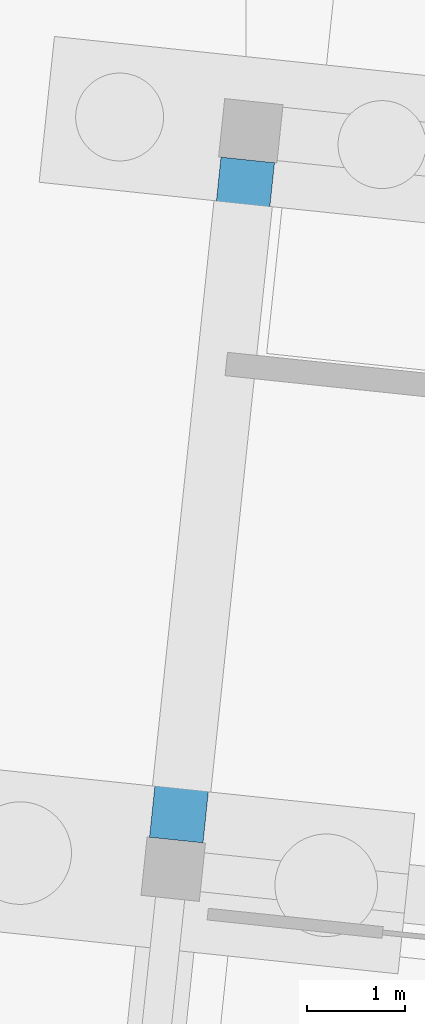
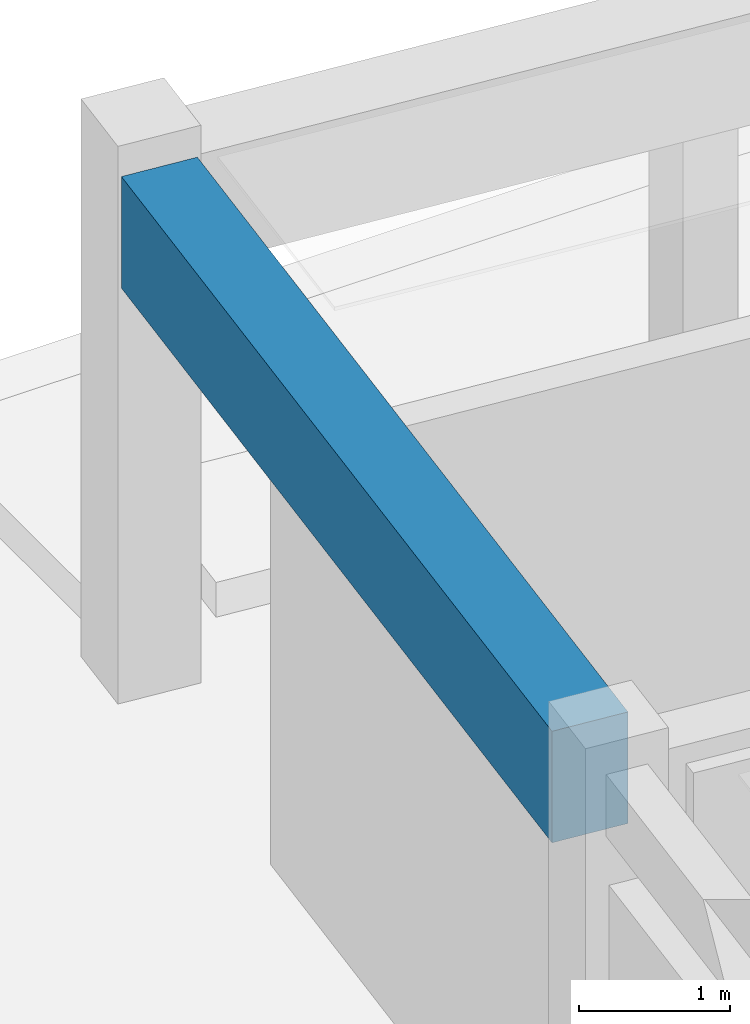
# One storey, part 84 of 154: 1 beam.
"""IFC4 building model written with IfcOpenShell, lengths in metres."""

from ifc_helpers import new_model, si_unit, direction, frame, origin, origin_2d, place, context, subcontext, project, spatial, rectangle, extrude, material, material_profile, profile_set, type_object, element, save


model = new_model("IFC4")

# Units and contexts
model_context = context("Model", 3, precision=1e-05, world=origin(), true_north=direction((0.0, 1.0)))
body_context = subcontext(model_context, "Body", "Model", "MODEL_VIEW")
ifc_project = project(units=[si_unit("LENGTHUNIT", "METRE"), si_unit("AREAUNIT", "SQUARE_METRE"), si_unit("VOLUMEUNIT", "CUBIC_METRE"), si_unit("PLANEANGLEUNIT", "RADIAN"), si_unit("MASSUNIT", "GRAM", prefix="KILO")], contexts=[model_context])

# Site, building, storey
site_placement = place(None, origin())
site = spatial("IfcSite", under=ifc_project, at=site_placement, CompositionType="ELEMENT")
building_placement = place(site_placement, origin())
building = spatial("IfcBuilding", under=site, at=building_placement, Name="Kestramere Prow Commons", CompositionType="ELEMENT")
storey_placement = place(building_placement, origin())
storey = spatial("IfcBuildingStorey", under=building, at=storey_placement, Name="L00", CompositionType="ELEMENT", Elevation=0.0)

# Beam
ifc_material = material(Name="Precast concrete C40/50", Category="concrete")
ifc_material_profile = material_profile(ifc_material, rectangle(XDim=0.550048828125, YDim=0.89990234375, at=origin_2d()), Name="PC-TG 550x900")
ifc_profile_set = profile_set([ifc_material_profile], Name="Precast concrete C40/50")
beam_type = type_object("IfcBeamType", Name="TG-01 PC-TG 550x900 (EX)", PredefinedType="BEAM", material=ifc_profile_set)
beam_placement = place(storey_placement, frame((111.28564453125, 107.03271484375, 3.800048828125), z_axis=(0.104526832686, 0.994522066748, 0.0), x_axis=(-0.994522066748, 0.104526832686, 0.0)))
element("IfcBeam", 1, at=beam_placement, inside=storey, type_object=beam_type, Name="Block B L00 N Colonnade Transfer Girder 1", PredefinedType="BEAM", context=body_context, shape_type="SweptSolid", body=[
    extrude(rectangle(XDim=0.550048828125, YDim=0.89990234375, at=origin_2d()), origin(), (0.0, 0.0, 1.0), 7.0),
])

save(model, "model.ifc")
